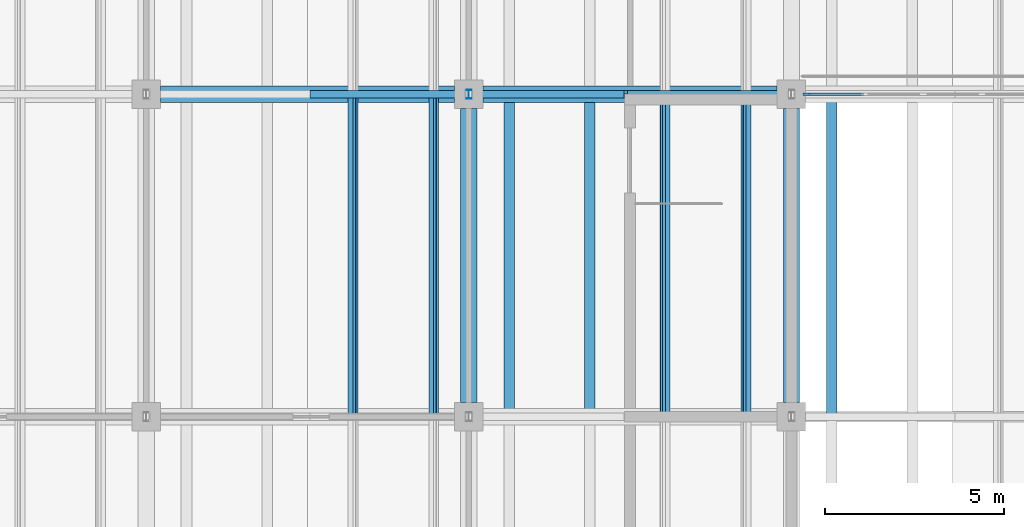
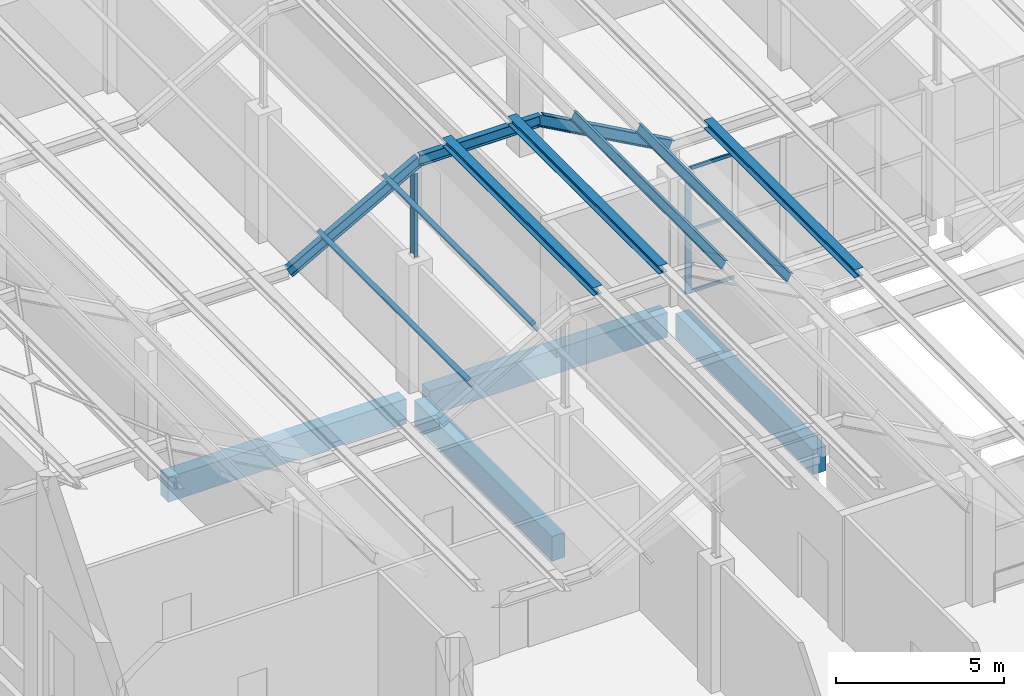
# One storey, part 33 of 437: 15 members, 4 beams, 1 element without a shape of its own.
"""IFC4 building model written with IfcOpenShell, lengths in metres."""

from ifc_helpers import new_model, si_unit, direction, frame, origin, origin_2d, place, context, subcontext, project, spatial, rectangle, i_section, extrude, material, layer, layer_set, material_profile, profile_set, type_object, element, aggregate, save


model = new_model("IFC4")

# Units and contexts
model_context = context("Model", 3, precision=1e-05, world=origin(), true_north=direction((0.0, 1.0)))
body_context = subcontext(model_context, "Body", "Model", "MODEL_VIEW")
ifc_project = project(units=[si_unit("LENGTHUNIT", "METRE"), si_unit("AREAUNIT", "SQUARE_METRE"), si_unit("VOLUMEUNIT", "CUBIC_METRE"), si_unit("PLANEANGLEUNIT", "RADIAN"), si_unit("MASSUNIT", "GRAM", prefix="KILO")], contexts=[model_context])

# Site, building, storey
site_placement = place(None, origin())
site = spatial("IfcSite", under=ifc_project, at=site_placement, CompositionType="ELEMENT")
building_placement = place(site_placement, origin())
building = spatial("IfcBuilding", under=site, at=building_placement, Name="Opaline Strait Convention Centre", CompositionType="ELEMENT")
storey_placement = place(building_placement, frame((0.0, 0.0, 11.5)))
storey = spatial("IfcBuildingStorey", under=building, at=storey_placement, Name="L02", CompositionType="ELEMENT", Elevation=11.5)

# Members
ifc_material_1 = material(Name="Steel Q355B", Category="steel")
ifc_material_profile_1 = material_profile(ifc_material_1, i_section(OverallWidth=0.300048828125, OverallDepth=0.300048828125, WebThickness=0.010009765625, FlangeThickness=0.014892578125, FilletRadius=0.012939453125, at=origin_2d()), Name="HW 300x300x10x15")
ifc_profile_set_1 = profile_set([ifc_material_profile_1], Name="Steel Q355B")
member_type_1 = type_object("IfcMemberType", Name="Crest purlin HW 300x300x10x15", PredefinedType="PURLIN", material=ifc_profile_set_1)
for number, where, z_axis, x_axis, name in (
    (1, (28.125, 54.0, 8.449951171875), (0.0, 1.0, 0.0), (-1.0, 0.0, 0.0), "RU1 purlin facet 5 line 1"),
    (2, (30.375, 54.0, 8.449951171875), (0.0, 1.0, 0.0), (-1.0, 0.0, 0.0), "RU1 purlin facet 5 line 2"),
    (3, (37.125, 54.0, 5.949951171875), (0.0, 1.0, 0.0), (-1.0, 0.0, 0.0), "RU1 purlin facet 7 line 1"),
):
    element("IfcMember", number, at=place(storey_placement, frame(where, z_axis=z_axis, x_axis=x_axis)), inside=storey, type_object=member_type_1, Name=name, PredefinedType="PURLIN", context=body_context, shape_type="SweptSolid", body=[
        extrude(i_section(OverallWidth=0.300048828125, OverallDepth=0.300048828125, WebThickness=0.010009765625, FlangeThickness=0.014892578125, FilletRadius=0.012939453125, at=origin_2d()), origin(), (0.0, 0.0, 1.0), 9.0),
    ])

# Curtain wall, members
ifc_material_2 = material(Name="Aluminium framed double glazing", Category="aluminium")
ifc_layer = layer(ifc_material_2, 0.199951171875)
ifc_layer_set = layer_set([ifc_layer], Name="Aluminium framed double glazing")
curtain_wall_type = type_object("IfcCurtainWallType", Name="Curtain wall 1500 module", PredefinedType="NOTDEFINED", material=ifc_layer_set)
curtain_wall_placement = place(storey_placement, origin())
curtain_wall = element("IfcCurtainWall", 4, at=curtain_wall_placement, inside=storey, type_object=curtain_wall_type, Name="L02 court glazing Nc 1", PredefinedType="NOTDEFINED")
ifc_material_3 = material(Name="Aluminium alloy 6063", Category="aluminium")
ifc_material_profile_2 = material_profile(ifc_material_3, rectangle(XDim=0.06005859375, YDim=0.199951171875, at=origin_2d()), Name="Curtain wall mullion 60x200")
ifc_profile_set_2 = profile_set([ifc_material_profile_2], Name="Aluminium alloy 6063")
member_type_2 = type_object("IfcMemberType", Name="Curtain wall mullion 60x200", PredefinedType="MULLION", material=ifc_profile_set_2)
member_1_placement = place(storey_placement, frame((36.429931640625, 63.0, 0.0), z_axis=(0.0, 0.0, 1.0), x_axis=(0.0, 1.0, 0.0)))
member_1 = element("IfcMember", 5, at=member_1_placement, type_object=member_type_2, Name="RCW1 mullion 1", PredefinedType="MULLION", context=body_context, shape_type="SweptSolid", body=[
    extrude(rectangle(XDim=0.06005859375, YDim=0.199951171875, at=origin_2d()), origin(), (0.0, 0.0, 1.0), 4.550048828125),
])
ifc_material_profile_3 = material_profile(ifc_material_3, rectangle(XDim=0.06005859375, YDim=0.1201171875, at=origin_2d()), Name="Curtain wall transom 60x120")
ifc_profile_set_3 = profile_set([ifc_material_profile_3], Name="Aluminium alloy 6063")
member_type_3 = type_object("IfcMemberType", Name="Curtain wall transom 60x120", PredefinedType="USERDEFINED", material=ifc_profile_set_3)
member_2_placement = place(storey_placement, frame((36.4599609375, 63.0, 0.030029296875), z_axis=(1.0, 0.0, 0.0), x_axis=(0.0, 1.0, 0.0)))
member_2 = element("IfcMember", 6, at=member_2_placement, type_object=member_type_3, Name="RCW1 transom 1.1", ObjectType="TRANSOM", PredefinedType="USERDEFINED", context=body_context, shape_type="SweptSolid", body=[
    extrude(rectangle(XDim=0.06005859375, YDim=0.1201171875, at=origin_2d()), origin(), (0.0, 0.0, 1.0), 1.550048828125),
])
member_3_placement = place(storey_placement, frame((36.4599609375, 63.0, 2.27490234375), z_axis=(1.0, 0.0, 0.0), x_axis=(0.0, 1.0, 0.0)))
member_3 = element("IfcMember", 7, at=member_3_placement, type_object=member_type_3, Name="RCW1 transom 1.2", ObjectType="TRANSOM", PredefinedType="USERDEFINED", context=body_context, shape_type="SweptSolid", body=[
    extrude(rectangle(XDim=0.06005859375, YDim=0.1201171875, at=origin_2d()), origin(), (0.0, 0.0, 1.0), 1.550048828125),
])
member_4_placement = place(storey_placement, frame((36.4599609375, 63.0, 4.52001953125), z_axis=(1.0, 0.0, 0.0), x_axis=(0.0, 1.0, 0.0)))
member_4 = element("IfcMember", 8, at=member_4_placement, type_object=member_type_3, Name="RCW1 transom 1.3", ObjectType="TRANSOM", PredefinedType="USERDEFINED", context=body_context, shape_type="SweptSolid", body=[
    extrude(rectangle(XDim=0.06005859375, YDim=0.1201171875, at=origin_2d()), origin(), (0.0, 0.0, 1.0), 1.550048828125),
])
aggregate(curtain_wall, [member_1, member_2, member_3, member_4])

# Beams
ifc_material_4 = material(Name="Concrete C35", Category="concrete")
ifc_material_profile_4 = material_profile(ifc_material_4, rectangle(XDim=0.449951171875, YDim=0.89990234375, at=origin_2d()), Name="RC 450x900")
ifc_profile_set_4 = profile_set([ifc_material_profile_4], Name="Concrete C35")
beam_type = type_object("IfcBeamType", Name="RC beam 450x900 C35", PredefinedType="BEAM", material=ifc_profile_set_4)
for number, where, z_axis, x_axis, name in (
    (9, (18.39990234375, 63.0, -0.72998046875), (1.0, 0.0, 0.0), (0.0, 1.0, 0.0), "XB1 L02 18/63-27/63"),
    (10, (27.39990234375, 63.0, -0.72998046875), (1.0, 0.0, 0.0), (0.0, 1.0, 0.0), "XB1 L02 27/63-36/63"),
    (11, (27.0, 54.39990234375, -0.72998046875), (0.0, 1.0, 0.0), (-1.0, 0.0, 0.0), "XB1 L02 27/54-27/63"),
    (12, (36.0, 54.39990234375, -0.72998046875), (0.0, 1.0, 0.0), (-1.0, 0.0, 0.0), "XB1 L02 36/54-36/63"),
):
    element("IfcBeam", number, at=place(storey_placement, frame(where, z_axis=z_axis, x_axis=x_axis)), inside=storey, type_object=beam_type, Name=name, PredefinedType="BEAM", context=body_context, shape_type="SweptSolid", body=[
        extrude(rectangle(XDim=0.449951171875, YDim=0.89990234375, at=origin_2d()), origin(), (0.0, 0.0, 1.0), 8.2001953125),
    ])

# Members
ifc_material_profile_5 = material_profile(ifc_material_1, i_section(OverallWidth=0.125, OverallDepth=0.25, WebThickness=0.006103515625, FlangeThickness=0.009033203125, FilletRadius=0.008056640625, at=origin_2d()), Name="HN 250x125x6x9")
ifc_profile_set_5 = profile_set([ifc_material_profile_5], Name="Steel Q355B")
member_type_4 = type_object("IfcMemberType", Name="Roof post HN 250x125x6x9", PredefinedType="STRUT", material=ifc_profile_set_5)
member_5_placement = place(storey_placement, frame((27.0, 63.0, 4.68994140625), z_axis=(0.0, 0.0, 1.0), x_axis=(1.0, 0.0, 0.0)))
element("IfcMember", 13, at=member_5_placement, inside=storey, type_object=member_type_4, Name="RP1 roof post at 27/63", PredefinedType="STRUT", context=body_context, shape_type="SweptSolid", body=[
    extrude(i_section(OverallWidth=0.125, OverallDepth=0.25, WebThickness=0.006103515625, FlangeThickness=0.009033203125, FilletRadius=0.008056640625, at=origin_2d()), origin(), (0.0, 0.0, 1.0), 3.031005859375),
])
ifc_material_profile_6 = material_profile(ifc_material_1, i_section(OverallWidth=0.14990234375, OverallDepth=0.300048828125, WebThickness=0.006591796875, FlangeThickness=0.009033203125, FilletRadius=0.012939453125, at=origin_2d()), Name="HN 300x150x6.5x9")
ifc_profile_set_6 = profile_set([ifc_material_profile_6], Name="Steel Q355B")
member_type_5 = type_object("IfcMemberType", Name="Roof purlin HN 300x150x6.5x9", PredefinedType="PURLIN", material=ifc_profile_set_6)
for number, where, z_axis, x_axis, name in (
    (14, (23.770751953125, 54.0, 6.61279296875), (0.0, 1.0, 0.0), (-0.874157310866, 0.0, -0.485642868639), "RU1 purlin facet 4 line 1"),
    (15, (26.020751953125, 54.0, 7.86279296875), (0.0, 1.0, 0.0), (-0.874157310866, 0.0, -0.485642868639), "RU1 purlin facet 4 line 2"),
    (16, (32.479248046875, 54.0, 7.86279296875), (0.0, 1.0, 0.0), (-0.874157310866, 0.0, 0.485642868639), "RU1 purlin facet 6 line 1"),
    (17, (34.729248046875, 54.0, 6.61279296875), (0.0, 1.0, 0.0), (-0.874157310866, 0.0, 0.485642868639), "RU1 purlin facet 6 line 2"),
):
    element("IfcMember", number, at=place(storey_placement, frame(where, z_axis=z_axis, x_axis=x_axis)), inside=storey, type_object=member_type_5, Name=name, PredefinedType="PURLIN", context=body_context, shape_type="SweptSolid", body=[
        extrude(i_section(OverallWidth=0.14990234375, OverallDepth=0.300048828125, WebThickness=0.006591796875, FlangeThickness=0.009033203125, FilletRadius=0.012939453125, at=origin_2d()), origin(), (0.0, 0.0, 1.0), 9.0),
    ])
ifc_material_profile_7 = material_profile(ifc_material_1, i_section(OverallWidth=0.199951171875, OverallDepth=0.39990234375, WebThickness=0.008056640625, FlangeThickness=0.012939453125, FilletRadius=0.012939453125, at=origin_2d()), Name="HN 400x200x8x13")
ifc_profile_set_7 = profile_set([ifc_material_profile_7], Name="Steel Q355B")
member_type_6 = type_object("IfcMemberType", Name="Roof rafter HN 400x200x8x13", PredefinedType="RAFTER", material=ifc_profile_set_7)
member_6_placement = place(storey_placement, frame((22.66845703125, 63.0, 5.60009765625), z_axis=(0.874157276122, 0.0, 0.485642931179), x_axis=(0.0, 1.0, 0.0)))
element("IfcMember", 18, at=member_6_placement, inside=storey, type_object=member_type_6, Name="RR1 rafter line 7 facet 5", PredefinedType="RAFTER", context=body_context, shape_type="SweptSolid", body=[
    extrude(i_section(OverallWidth=0.199951171875, OverallDepth=0.39990234375, WebThickness=0.008056640625, FlangeThickness=0.012939453125, FilletRadius=0.012939453125, at=origin_2d()), origin(), (0.0, 0.0, 1.0), 5.147705078125),
])
member_7_placement = place(storey_placement, frame((27.16845703125, 63.0, 8.10009765625), z_axis=(1.0, 0.0, 0.0), x_axis=(0.0, 1.0, 0.0)))
element("IfcMember", 19, at=member_7_placement, inside=storey, type_object=member_type_6, Name="RR1 rafter line 7 facet 6", PredefinedType="RAFTER", context=body_context, shape_type="SweptSolid", body=[
    extrude(i_section(OverallWidth=0.199951171875, OverallDepth=0.39990234375, WebThickness=0.008056640625, FlangeThickness=0.012939453125, FilletRadius=0.012939453125, at=origin_2d()), origin(), (0.0, 0.0, 1.0), 4.1630859375),
])
member_8_placement = place(storey_placement, frame((31.33154296875, 63.0, 8.10009765625), z_axis=(0.874157276122, 0.0, -0.485642931179), x_axis=(0.0, 1.0, 0.0)))
element("IfcMember", 20, at=member_8_placement, inside=storey, type_object=member_type_6, Name="RR1 rafter line 7 facet 7", PredefinedType="RAFTER", context=body_context, shape_type="SweptSolid", body=[
    extrude(i_section(OverallWidth=0.199951171875, OverallDepth=0.39990234375, WebThickness=0.008056640625, FlangeThickness=0.012939453125, FilletRadius=0.012939453125, at=origin_2d()), origin(), (0.0, 0.0, 1.0), 5.147705078125),
])

save(model, "model.ifc")
